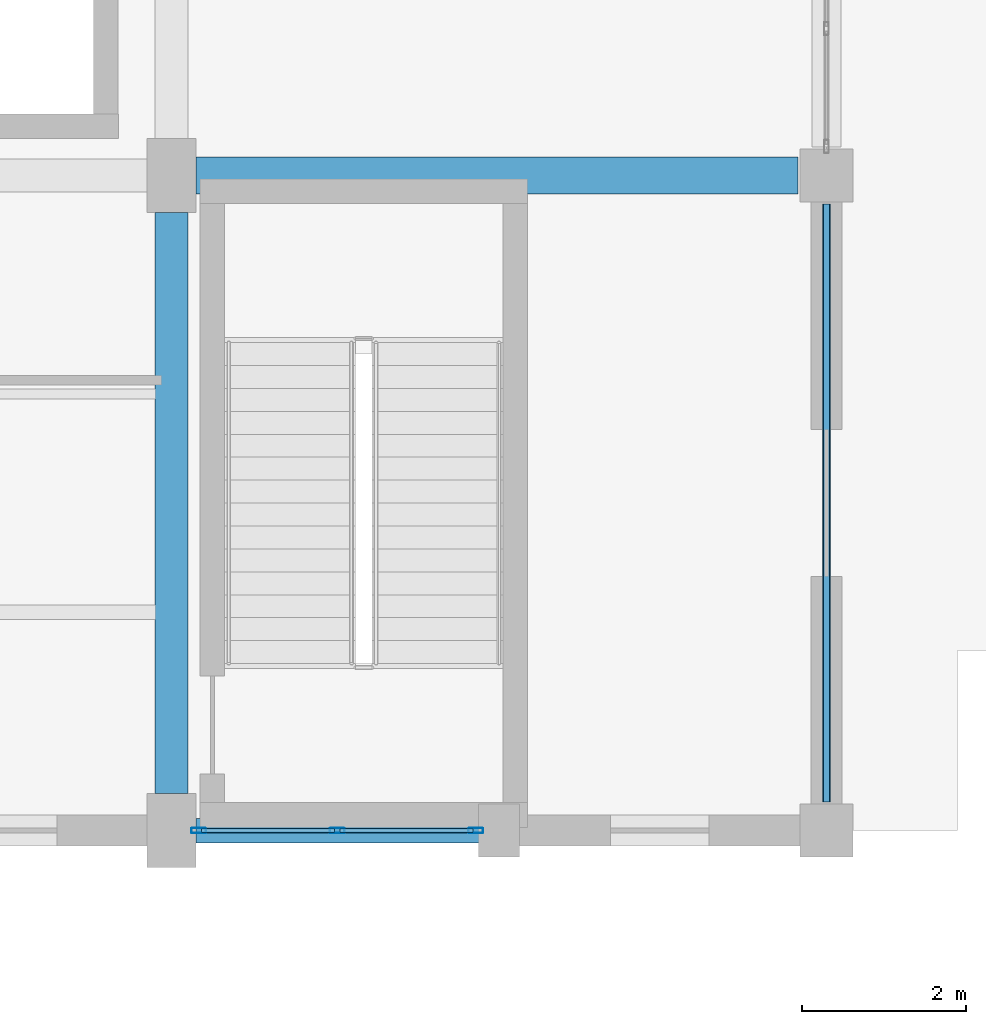
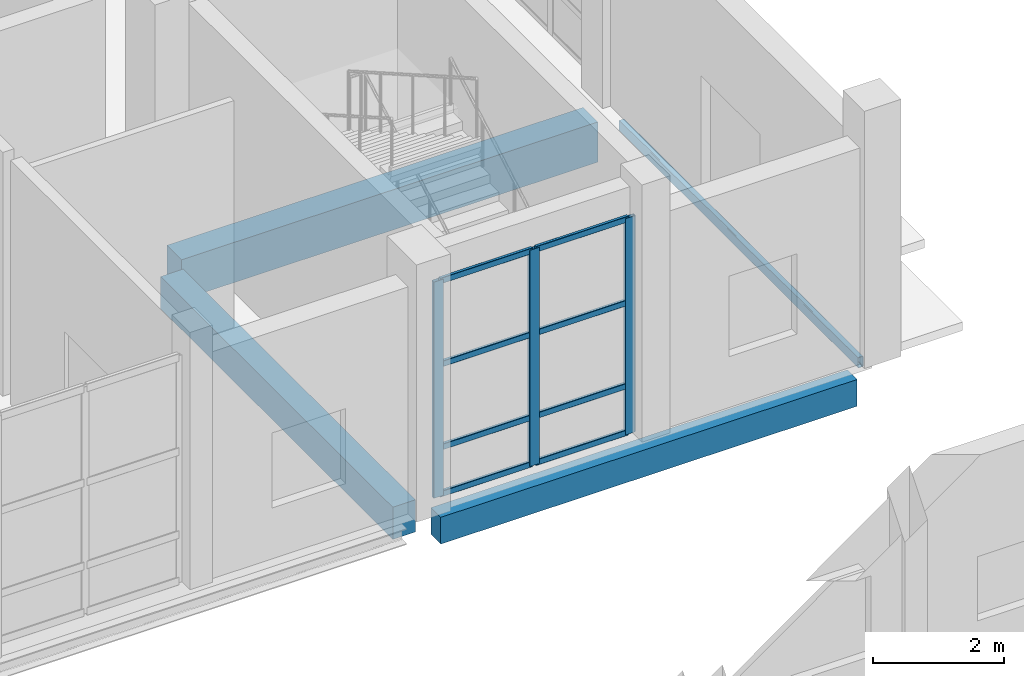
# One storey, part 94 of 156: 11 members, 4 beams, 1 element without a shape of its own.
"""IFC4 building model written with IfcOpenShell, lengths in metres."""

import ifcopenshell
import ifcopenshell.guid

model = None  # the IFC model being written
_history = None  # IfcOwnerHistory: only IFC2X3 demands one
_inside = {}  # id of a spatial element -> (the spatial element, [elements in it])
_under = {}  # id of a project, library or spatial element -> (it, [spatial elements below it])
_declared = {}  # id of a project -> (the project, [libraries it declares])
_typed = {}  # id of a type object -> (the type object, [elements of that type])
_made_of = {}  # id of a material, layer set ... -> (it, [elements and type objects made of it])


def new_model(schema):
    """Start an empty IFC model of exactly this schema.

    Asked for "IFC4X3", IfcOpenShell would pick the latest addendum, in which some entities
    have other attributes; the version numbers below select the first issue.
    IFC2X3 requires an IfcOwnerHistory on every rooted entity: one is made here for all.
    """
    global model, _history
    if schema == "IFC4X3":
        model = ifcopenshell.file(schema_version=(4, 3, 0, 0))
    else:
        model = ifcopenshell.file(schema=schema)
    _inside.clear()
    _under.clear()
    _declared.clear()
    _typed.clear()
    _made_of.clear()
    _history = None
    if model.schema == "IFC2X3":
        org = make("IfcOrganization", Name="unknown")
        user = make(
            "IfcPersonAndOrganization",
            ThePerson=make("IfcPerson", FamilyName="unknown"),
            TheOrganization=org,
        )
        app = make(
            "IfcApplication",
            ApplicationDeveloper=org,
            Version="unknown",
            ApplicationFullName="unknown",
            ApplicationIdentifier="unknown",
        )
        _history = make(
            "IfcOwnerHistory",
            OwningUser=user,
            OwningApplication=app,
            ChangeAction="ADDED",
            CreationDate=0,
        )
    return model


def make(cls, **values):
    """One entity of the class cls with the attributes given. An attribute that is None is left unset."""
    return model.create_entity(
        cls, **{name: value for name, value in values.items() if value is not None}
    )


def rooted(cls, **values):
    """An entity with a GlobalId (a new one), such as an element, a storey or a relation."""
    return make(cls, GlobalId=ifcopenshell.guid.new(), OwnerHistory=_history, **values)


def si_unit(unit_type, name, prefix=None):
    """IfcSIUnit, for example si_unit("LENGTHUNIT", "METRE", prefix="MILLI")."""
    return make("IfcSIUnit", UnitType=unit_type, Prefix=prefix, Name=name)


def assignment(units):
    """IfcUnitAssignment: the units of a project."""
    return None if units is None else make("IfcUnitAssignment", Units=units)


def point(xyz):
    """IfcCartesianPoint."""
    return None if xyz is None else make("IfcCartesianPoint", Coordinates=xyz)


def direction(xyz):
    """IfcDirection."""
    return None if xyz is None else make("IfcDirection", DirectionRatios=xyz)


def frame(location, z_axis=None, x_axis=None):
    """IfcAxis2Placement3D, a coordinate frame: its origin and axes. An axis left out is left unset."""
    return make(
        "IfcAxis2Placement3D",
        Location=point(location),
        Axis=direction(z_axis),
        RefDirection=direction(x_axis),
    )


def frame_2d(location, x_axis=None):
    """IfcAxis2Placement2D, a coordinate frame in the plane: its origin and x axis."""
    return make(
        "IfcAxis2Placement2D", Location=point(location), RefDirection=direction(x_axis)
    )


def origin():
    """The frame at (0, 0, 0) with its axes left unset."""
    return frame((0.0, 0.0, 0.0))


def origin_2d():
    """The frame at (0, 0) in the plane with its x axis left unset."""
    return frame_2d((0.0, 0.0))


def place(relative_to, where):
    """IfcLocalPlacement: puts the frame where relative to a parent placement (None: the world)."""
    return make(
        "IfcLocalPlacement", PlacementRelTo=relative_to, RelativePlacement=where
    )


def context(
    kind, dimensions, precision=None, world=None, true_north=None, identifier=None
):
    """IfcGeometricRepresentationContext, for example the 3D "Model" context."""
    return make(
        "IfcGeometricRepresentationContext",
        ContextIdentifier=identifier,
        ContextType=kind,
        CoordinateSpaceDimension=dimensions,
        Precision=precision,
        WorldCoordinateSystem=world,
        TrueNorth=true_north,
    )


def subcontext(parent, identifier, kind, view, scale=None):
    """IfcGeometricRepresentationSubContext, for example "Body" below "Model"."""
    return make(
        "IfcGeometricRepresentationSubContext",
        ContextIdentifier=identifier,
        ContextType=kind,
        ParentContext=parent,
        TargetScale=scale,
        TargetView=view,
    )


def project(units=None, contexts=None):
    """IfcProject with its units and contexts."""
    return rooted(
        "IfcProject",
        Name="project",
        RepresentationContexts=contexts,
        UnitsInContext=assignment(units),
    )


def spatial(cls, under=None, at=None, **own):
    """A site, building, storey or space (cls), placed at a placement, below another one or the project."""
    s = rooted(cls, ObjectPlacement=at, **own)
    if under is not None:
        _under.setdefault(under.id(), (under, []))[1].append(s)
    return s


def profile(cls, at=None, kind="AREA", **sizes):
    """A parametric profile (cls). Its sizes go by their IFC names, for example OverallWidth=200.0."""
    return make(cls, ProfileType=kind, Position=at, **sizes)


def rectangle(**sizes):
    """IfcRectangleProfileDef."""
    return profile("IfcRectangleProfileDef", **sizes)


def hollow_rectangle(**sizes):
    """IfcRectangleHollowProfileDef."""
    return profile("IfcRectangleHollowProfileDef", **sizes)


def extrude(swept, where, along, depth):
    """IfcExtrudedAreaSolid: the profile swept, set in the frame where, extruded along a direction by depth."""
    return make(
        "IfcExtrudedAreaSolid",
        SweptArea=swept,
        Position=where,
        ExtrudedDirection=direction(along),
        Depth=depth,
    )


def shape(context_of_items, identifier, shape_type, items):
    """IfcShapeRepresentation: the items that make up one representation, for example the "Body"."""
    return make(
        "IfcShapeRepresentation",
        ContextOfItems=context_of_items,
        RepresentationIdentifier=identifier,
        RepresentationType=shape_type,
        Items=items,
    )


def material(Name=None, Category=None):
    """IfcMaterial."""
    return make("IfcMaterial", Name=Name, Category=Category)


def material_profile(
    of_material, cross_section, Name=None, Category=None, Priority=None
):
    """IfcMaterialProfile: a cross section and its material."""
    return make(
        "IfcMaterialProfile",
        Name=Name,
        Material=of_material,
        Profile=cross_section,
        Priority=Priority,
        Category=Category,
    )


def profile_set(profiles, Name=None, composite=None):
    """IfcMaterialProfileSet."""
    return make(
        "IfcMaterialProfileSet",
        Name=Name,
        MaterialProfiles=profiles,
        CompositeProfile=composite,
    )


def made_of(thing, what):
    """Note that an element or type object is made of a material, layer set ...; save() writes the relation."""
    if what is not None:
        _made_of.setdefault(what.id(), (what, []))[1].append(thing)
    return thing


def type_object(cls, material=None, **own):
    """A type object (cls), such as IfcWallType, which elements share."""
    return made_of(rooted(cls, **own), material)


def element(
    cls,
    number,
    at=None,
    inside=None,
    cuts=None,
    type_object=None,
    material=None,
    context=None,
    identifier="Body",
    shape_type=None,
    held_by="IfcProductDefinitionShape",
    body=None,
    shapes=None,
    **own,
):
    """One element of the class cls, such as IfcWall. Its Tag is "e" and its number.

    at: its placement. inside: the storey or other place that contains it. cuts: it is an
    opening in that element (IfcRelVoidsElement). A single representation is given by context,
    identifier, shape_type and body (its items); several are given by shapes. held_by: the class
    of the entity that holds the representations. save() writes the other relations.
    """
    e = rooted(cls, Tag="e%d" % number, ObjectPlacement=at, **own)
    if body is not None:
        shapes = [shape(context, identifier, shape_type, body)]
    if shapes is not None:
        e.Representation = make(held_by, Representations=shapes)
    if inside is not None:
        _inside.setdefault(inside.id(), (inside, []))[1].append(e)
    if cuts is not None:
        rooted(
            "IfcRelVoidsElement", RelatingBuildingElement=cuts, RelatedOpeningElement=e
        )
    if type_object is not None:
        _typed.setdefault(type_object.id(), (type_object, []))[1].append(e)
    return made_of(e, material)


def aggregate(whole, parts):
    """IfcRelAggregates: a whole, such as a stair, and the parts it consists of."""
    return rooted("IfcRelAggregates", RelatingObject=whole, RelatedObjects=parts)


def save(model, path):
    """Write the relations noted so far, then the file.

    IfcRelAggregates (storeys below a building ...), IfcRelContainedInSpatialStructure (elements
    in a storey), IfcRelDefinesByType, IfcRelAssociatesMaterial and IfcRelDeclares: one each for
    every whole, place, type object, material and project.
    """
    for whole, parts in _under.values():
        aggregate(whole, parts)
    for where, things in _inside.values():
        rooted(
            "IfcRelContainedInSpatialStructure",
            RelatedElements=things,
            RelatingStructure=where,
        )
    for kind, things in _typed.values():
        rooted("IfcRelDefinesByType", RelatedObjects=things, RelatingType=kind)
    for what, things in _made_of.values():
        rooted("IfcRelAssociatesMaterial", RelatedObjects=things, RelatingMaterial=what)
    for by, libraries in _declared.values():
        rooted("IfcRelDeclares", RelatingContext=by, RelatedDefinitions=libraries)
    model.write(path)


model = new_model("IFC4")

# Units and contexts
model_context = context("Model", 3, precision=1e-05, world=origin(), true_north=direction((0.0, 1.0)))
body_context = subcontext(model_context, "Body", "Model", "MODEL_VIEW")
ifc_project = project(units=[si_unit("LENGTHUNIT", "METRE"), si_unit("AREAUNIT", "SQUARE_METRE"), si_unit("VOLUMEUNIT", "CUBIC_METRE"), si_unit("PLANEANGLEUNIT", "RADIAN"), si_unit("MASSUNIT", "GRAM", prefix="KILO")], contexts=[model_context])

# Site, building, storey
site_placement = place(None, origin())
site = spatial("IfcSite", under=ifc_project, at=site_placement, CompositionType="ELEMENT")
building_placement = place(site_placement, origin())
building = spatial("IfcBuilding", under=site, at=building_placement, Name="Luwemba Playhouse", CompositionType="ELEMENT")
storey_placement = place(building_placement, origin())
storey = spatial("IfcBuildingStorey", under=building, at=storey_placement, Name="L00", CompositionType="ELEMENT", Elevation=0.0)

# Beams
ifc_material_1 = material(Name="Concrete C40/50", Category="concrete")
ifc_material_profile_1 = material_profile(ifc_material_1, rectangle(XDim=0.39990234375, YDim=0.60009765625, at=origin_2d()))
ifc_profile_set_1 = profile_set([ifc_material_profile_1], Name="Concrete C40/50")
beam_type_1 = type_object("IfcBeamType", Name="BM-RB01", PredefinedType="BEAM", material=ifc_profile_set_1)
beam_1_placement = place(storey_placement, frame((164.0, 68.449951171875, -0.60009765625), z_axis=(0.0, 1.0, 0.0), x_axis=(-1.0, 0.0, 0.0)))
element("IfcBeam", 1, at=beam_1_placement, inside=storey, type_object=beam_type_1, Name="L00 transverse girder 0144", PredefinedType="BEAM", context=body_context, shape_type="SweptSolid", body=[
    extrude(rectangle(XDim=0.39990234375, YDim=0.60009765625, at=origin_2d()), origin(), (0.0, 0.0, 1.0), 7.10009765625),
])
ifc_material_profile_2 = material_profile(ifc_material_1, rectangle(XDim=0.449951171875, YDim=0.75, at=origin_2d()))
ifc_profile_set_2 = profile_set([ifc_material_profile_2], Name="Concrete C40/50")
beam_type_2 = type_object("IfcBeamType", Name="BM-RB04", PredefinedType="BEAM", material=ifc_profile_set_2)
beam_2_placement = place(storey_placement, frame((164.300048828125, 76.0, -0.675048828125), z_axis=(1.0, 0.0, 0.0), x_axis=(0.0, 1.0, 0.0)))
element("IfcBeam", 2, at=beam_2_placement, inside=storey, type_object=beam_type_2, Name="L00 grid girder 0121", PredefinedType="BEAM", context=body_context, shape_type="SweptSolid", body=[
    extrude(rectangle(XDim=0.449951171875, YDim=0.75, at=origin_2d()), origin(), (0.0, 0.0, 1.0), 7.349853515625),
])
ifc_material_profile_3 = material_profile(ifc_material_1, rectangle(XDim=0.300048828125, YDim=0.5, at=origin_2d()))
ifc_profile_set_3 = profile_set([ifc_material_profile_3], Name="Concrete C40/50")
beam_type_3 = type_object("IfcBeamType", Name="BM-SP1", PredefinedType="SPANDREL", material=ifc_profile_set_3)
beam_3_placement = place(storey_placement, frame((164.300048828125, 68.0, -0.550048828125), z_axis=(1.0, 0.0, 0.0), x_axis=(0.0, 1.0, 0.0)))
element("IfcBeam", 3, at=beam_3_placement, inside=storey, type_object=beam_type_3, Name="L00 grid girder 0116", PredefinedType="SPANDREL", context=body_context, shape_type="SweptSolid", body=[
    extrude(rectangle(XDim=0.300048828125, YDim=0.5, at=origin_2d()), origin(), (0.0, 0.0, 1.0), 7.349853515625),
])
ifc_material_2 = material(Name="Steel S355", Category="steel")
ifc_material_profile_4 = material_profile(ifc_material_2, hollow_rectangle(XDim=0.10009765625, YDim=0.199951171875, WallThickness=0.008056640625, InnerFilletRadius=0.011962890625, OuterFilletRadius=0.02001953125, at=origin_2d()))
ifc_profile_set_4 = profile_set([ifc_material_profile_4], Name="Steel S355")
beam_type_4 = type_object("IfcBeamType", Name="BM-SSP2", PredefinedType="SPANDREL", material=ifc_profile_set_4)
beam_4_placement = place(storey_placement, frame((172.0, 68.35009765625, -0.39990234375), z_axis=(0.0, 1.0, 0.0), x_axis=(-1.0, 0.0, 0.0)))
element("IfcBeam", 4, at=beam_4_placement, inside=storey, type_object=beam_type_4, Name="L00 transverse girder 0147", PredefinedType="SPANDREL", context=body_context, shape_type="SweptSolid", body=[
    extrude(hollow_rectangle(XDim=0.10009765625, YDim=0.199951171875, WallThickness=0.008056640625, InnerFilletRadius=0.011962890625, OuterFilletRadius=0.02001953125, at=origin_2d()), origin(), (0.0, 0.0, 1.0), 7.2998046875),
])

# Curtain wall, members
ifc_material_3 = material(Name="Solar-control double glazing", Category="glass")
curtain_wall_type = type_object("IfcCurtainWallType", Name="CW-CW12", PredefinedType="USERDEFINED", material=ifc_material_3)
curtain_wall_placement = place(storey_placement, origin())
curtain_wall = element("IfcCurtainWall", 5, at=curtain_wall_placement, inside=storey, type_object=curtain_wall_type, Name="L00 V4 unitised curtain wall 020", ObjectType="UNITISED GLAZING", PredefinedType="USERDEFINED")
ifc_material_4 = material(Name="Aluminium 6063-T6", Category="aluminium")
ifc_material_profile_5 = material_profile(ifc_material_4, hollow_rectangle(XDim=0.06494140625, YDim=0.179931640625, WallThickness=0.00439453125, InnerFilletRadius=0.0068359375, OuterFilletRadius=0.01123046875, at=origin_2d()))
ifc_profile_set_5 = profile_set([ifc_material_profile_5], Name="Aluminium 6063-T6")
member_type_1 = type_object("IfcMemberType", Name="CWM-M2", PredefinedType="MULLION", material=ifc_profile_set_5)
member_1_placement = place(storey_placement, frame((167.717529296875, 68.0, 0.0), z_axis=(0.0, 0.0, 1.0), x_axis=(0.0, -1.0, 0.0)))
member_1 = element("IfcMember", 6, at=member_1_placement, type_object=member_type_1, Name="CW12 mullion 1", PredefinedType="MULLION", context=body_context, shape_type="SweptSolid", body=[
    extrude(hollow_rectangle(XDim=0.06494140625, YDim=0.179931640625, WallThickness=0.00439453125, InnerFilletRadius=0.0068359375, OuterFilletRadius=0.01123046875, at=origin_2d()), origin(), (0.0, 0.0, 1.0), 4.034912109375),
])
member_2_placement = place(storey_placement, frame((166.02490234375, 68.0, 0.0), z_axis=(0.0, 0.0, 1.0), x_axis=(0.0, -1.0, 0.0)))
member_2 = element("IfcMember", 7, at=member_2_placement, type_object=member_type_1, Name="CW12 mullion 2", PredefinedType="MULLION", context=body_context, shape_type="SweptSolid", body=[
    extrude(hollow_rectangle(XDim=0.06494140625, YDim=0.179931640625, WallThickness=0.00439453125, InnerFilletRadius=0.0068359375, OuterFilletRadius=0.01123046875, at=origin_2d()), origin(), (0.0, 0.0, 1.0), 4.034912109375),
])
member_3_placement = place(storey_placement, frame((164.33251953125, 68.0, 0.0), z_axis=(0.0, 0.0, 1.0), x_axis=(0.0, -1.0, 0.0)))
member_3 = element("IfcMember", 8, at=member_3_placement, type_object=member_type_1, Name="CW12 mullion 3", PredefinedType="MULLION", context=body_context, shape_type="SweptSolid", body=[
    extrude(hollow_rectangle(XDim=0.06494140625, YDim=0.179931640625, WallThickness=0.00439453125, InnerFilletRadius=0.0068359375, OuterFilletRadius=0.01123046875, at=origin_2d()), origin(), (0.0, 0.0, 1.0), 4.034912109375),
])
ifc_material_profile_6 = material_profile(ifc_material_4, hollow_rectangle(XDim=0.054931640625, YDim=0.110107421875, WallThickness=0.00341796875, InnerFilletRadius=0.00537109375, OuterFilletRadius=0.0087890625, at=origin_2d()))
ifc_profile_set_6 = profile_set([ifc_material_profile_6], Name="Aluminium 6063-T6")
member_type_2 = type_object("IfcMemberType", Name="CWT-T2", PredefinedType="USERDEFINED", material=ifc_profile_set_6)
member_4_placement = place(storey_placement, frame((167.68505859375, 68.0, 0.027587890625), z_axis=(-1.0, 0.0, 0.0), x_axis=(0.0, -1.0, 0.0)))
member_4 = element("IfcMember", 9, at=member_4_placement, type_object=member_type_2, Name="CW12 transom 1.1", ObjectType="TRANSOM", PredefinedType="USERDEFINED", context=body_context, shape_type="SweptSolid", body=[
    extrude(hollow_rectangle(XDim=0.054931640625, YDim=0.110107421875, WallThickness=0.00341796875, InnerFilletRadius=0.00537109375, OuterFilletRadius=0.0087890625, at=origin_2d()), origin(), (0.0, 0.0, 1.0), 1.62744140625),
])
member_5_placement = place(storey_placement, frame((167.68505859375, 68.0, 0.89990234375), z_axis=(-1.0, 0.0, 0.0), x_axis=(0.0, -1.0, 0.0)))
member_5 = element("IfcMember", 10, at=member_5_placement, type_object=member_type_2, Name="CW12 transom 1.2", ObjectType="TRANSOM", PredefinedType="USERDEFINED", context=body_context, shape_type="SweptSolid", body=[
    extrude(hollow_rectangle(XDim=0.054931640625, YDim=0.110107421875, WallThickness=0.00341796875, InnerFilletRadius=0.00537109375, OuterFilletRadius=0.0087890625, at=origin_2d()), origin(), (0.0, 0.0, 1.0), 1.62744140625),
])
member_6_placement = place(storey_placement, frame((167.68505859375, 68.0, 2.449951171875), z_axis=(-1.0, 0.0, 0.0), x_axis=(0.0, -1.0, 0.0)))
member_6 = element("IfcMember", 11, at=member_6_placement, type_object=member_type_2, Name="CW12 transom 1.3", ObjectType="TRANSOM", PredefinedType="USERDEFINED", context=body_context, shape_type="SweptSolid", body=[
    extrude(hollow_rectangle(XDim=0.054931640625, YDim=0.110107421875, WallThickness=0.00341796875, InnerFilletRadius=0.00537109375, OuterFilletRadius=0.0087890625, at=origin_2d()), origin(), (0.0, 0.0, 1.0), 1.62744140625),
])
member_7_placement = place(storey_placement, frame((167.68505859375, 68.0, 4.007568359375), z_axis=(-1.0, 0.0, 0.0), x_axis=(0.0, -1.0, 0.0)))
member_7 = element("IfcMember", 12, at=member_7_placement, type_object=member_type_2, Name="CW12 transom 1.4", ObjectType="TRANSOM", PredefinedType="USERDEFINED", context=body_context, shape_type="SweptSolid", body=[
    extrude(hollow_rectangle(XDim=0.054931640625, YDim=0.110107421875, WallThickness=0.00341796875, InnerFilletRadius=0.00537109375, OuterFilletRadius=0.0087890625, at=origin_2d()), origin(), (0.0, 0.0, 1.0), 1.62744140625),
])
member_8_placement = place(storey_placement, frame((165.992431640625, 68.0, 0.027587890625), z_axis=(-1.0, 0.0, 0.0), x_axis=(0.0, -1.0, 0.0)))
member_8 = element("IfcMember", 13, at=member_8_placement, type_object=member_type_2, Name="CW12 transom 2.1", ObjectType="TRANSOM", PredefinedType="USERDEFINED", context=body_context, shape_type="SweptSolid", body=[
    extrude(hollow_rectangle(XDim=0.054931640625, YDim=0.110107421875, WallThickness=0.00341796875, InnerFilletRadius=0.00537109375, OuterFilletRadius=0.0087890625, at=origin_2d()), origin(), (0.0, 0.0, 1.0), 1.62744140625),
])
member_9_placement = place(storey_placement, frame((165.992431640625, 68.0, 0.89990234375), z_axis=(-1.0, 0.0, 0.0), x_axis=(0.0, -1.0, 0.0)))
member_9 = element("IfcMember", 14, at=member_9_placement, type_object=member_type_2, Name="CW12 transom 2.2", ObjectType="TRANSOM", PredefinedType="USERDEFINED", context=body_context, shape_type="SweptSolid", body=[
    extrude(hollow_rectangle(XDim=0.054931640625, YDim=0.110107421875, WallThickness=0.00341796875, InnerFilletRadius=0.00537109375, OuterFilletRadius=0.0087890625, at=origin_2d()), origin(), (0.0, 0.0, 1.0), 1.62744140625),
])
member_10_placement = place(storey_placement, frame((165.992431640625, 68.0, 2.449951171875), z_axis=(-1.0, 0.0, 0.0), x_axis=(0.0, -1.0, 0.0)))
member_10 = element("IfcMember", 15, at=member_10_placement, type_object=member_type_2, Name="CW12 transom 2.3", ObjectType="TRANSOM", PredefinedType="USERDEFINED", context=body_context, shape_type="SweptSolid", body=[
    extrude(hollow_rectangle(XDim=0.054931640625, YDim=0.110107421875, WallThickness=0.00341796875, InnerFilletRadius=0.00537109375, OuterFilletRadius=0.0087890625, at=origin_2d()), origin(), (0.0, 0.0, 1.0), 1.62744140625),
])
member_11_placement = place(storey_placement, frame((165.992431640625, 68.0, 4.007568359375), z_axis=(-1.0, 0.0, 0.0), x_axis=(0.0, -1.0, 0.0)))
member_11 = element("IfcMember", 16, at=member_11_placement, type_object=member_type_2, Name="CW12 transom 2.4", ObjectType="TRANSOM", PredefinedType="USERDEFINED", context=body_context, shape_type="SweptSolid", body=[
    extrude(hollow_rectangle(XDim=0.054931640625, YDim=0.110107421875, WallThickness=0.00341796875, InnerFilletRadius=0.00537109375, OuterFilletRadius=0.0087890625, at=origin_2d()), origin(), (0.0, 0.0, 1.0), 1.62744140625),
])
aggregate(curtain_wall, [member_1, member_2, member_3, member_4, member_5, member_6, member_7, member_8, member_9, member_10, member_11])

save(model, "model.ifc")
